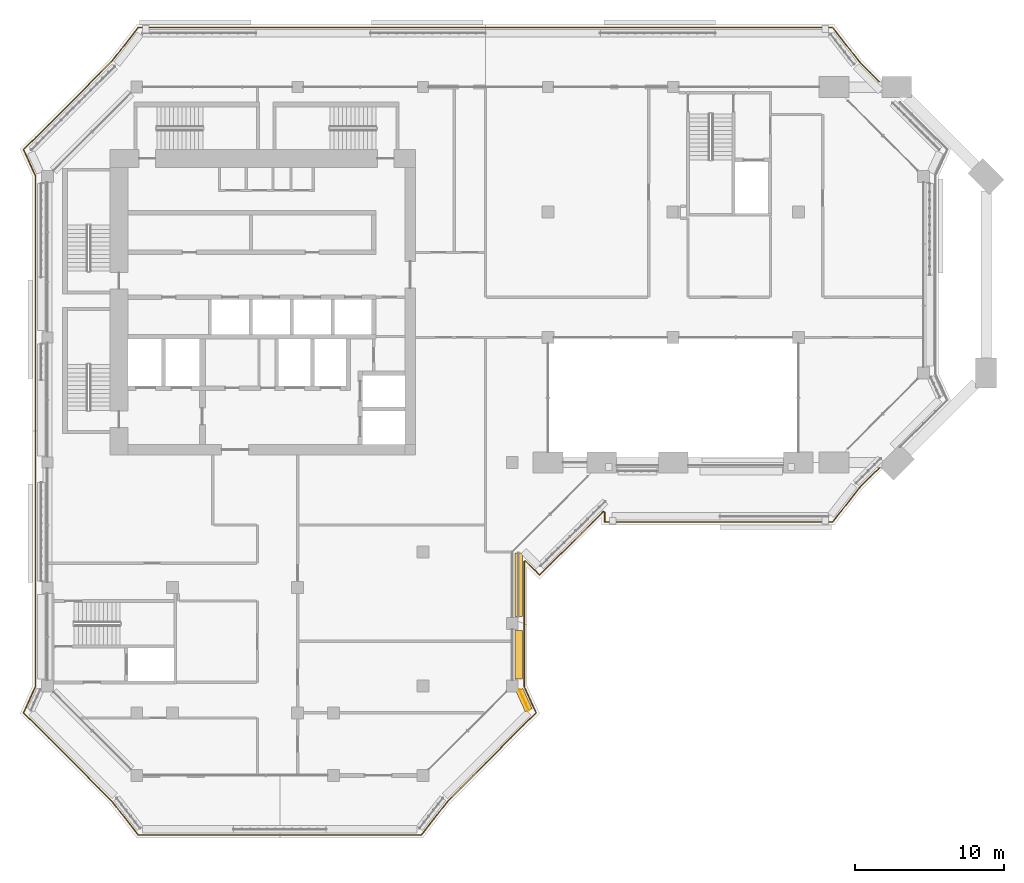
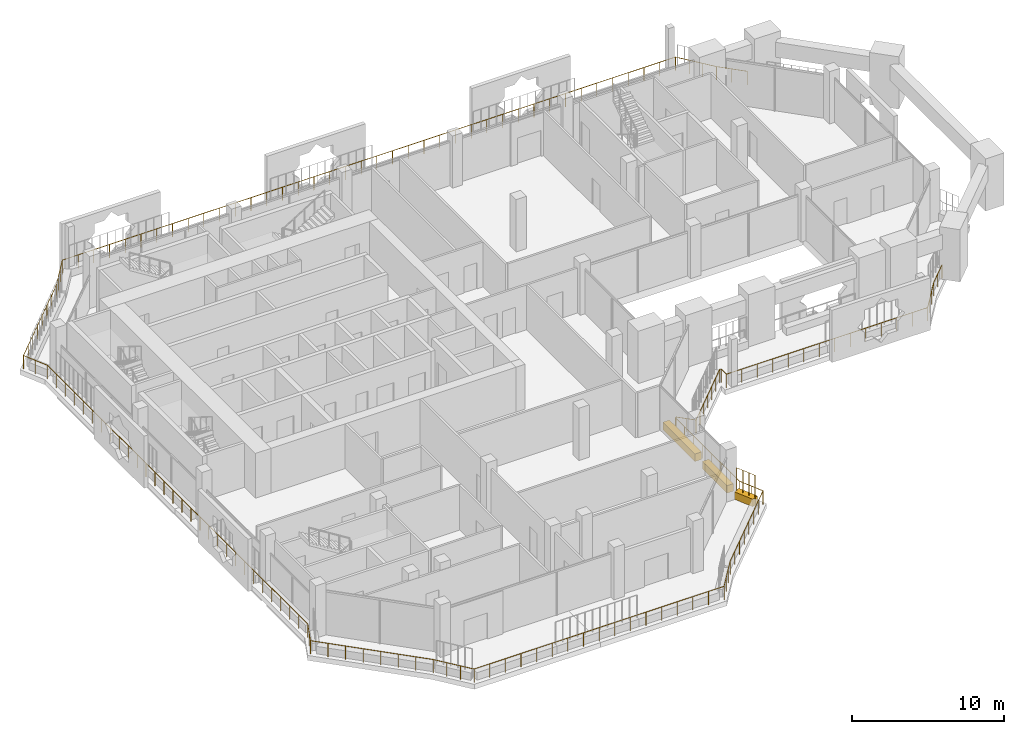
# One storey, part 17 of 22: 3 coverings, 3 railings.
"""IFC4 building model written with IfcOpenShell, lengths in metres."""

from ifc_helpers import new_model, si_unit, direction, frame, origin, origin_2d, place, context, subcontext, project, spatial, rectangle, circle, extrude, material, material_profile, profile_set, type_object, element, save


model = new_model("IFC4")

# Units and contexts
model_context = context("Model", 3, precision=1e-05, world=origin(), true_north=direction((0.0, 1.0)))
body_context = subcontext(model_context, "Body", "Model", "MODEL_VIEW")
ifc_project = project(units=[si_unit("LENGTHUNIT", "METRE"), si_unit("AREAUNIT", "SQUARE_METRE"), si_unit("VOLUMEUNIT", "CUBIC_METRE"), si_unit("PLANEANGLEUNIT", "RADIAN"), si_unit("MASSUNIT", "GRAM", prefix="KILO")], contexts=[model_context])

# Site, building, storey
site_placement = place(None, origin())
site = spatial("IfcSite", under=ifc_project, at=site_placement, CompositionType="ELEMENT")
building_placement = place(site_placement, origin())
building = spatial("IfcBuilding", under=site, at=building_placement, Name="Kawkab Arch Medical Tower", CompositionType="ELEMENT")
storey_placement = place(building_placement, frame((0.0, 0.0, 286.0)))
storey = spatial("IfcBuildingStorey", under=building, at=storey_placement, Name="L66", CompositionType="ELEMENT", Elevation=286.0)

# Railings
ifc_material_1 = material(Name="Bronze anodised aluminium guard", Category="aluminium")
railing_type_1 = type_object("IfcRailingType", Name="Loggia and terrace guard 1100", PredefinedType="GUARDRAIL", material=ifc_material_1)
railing_1_placement = place(storey_placement, frame((6.097900390625, -50.199951171875, 0.0)))
element("IfcRailing", 1, at=railing_1_placement, inside=storey, type_object=railing_type_1, Name="Guard L66.LOG-01.2.1", PredefinedType="GUARDRAIL", context=body_context, shape_type="SweptSolid", body=[
    extrude(circle(Radius=0.02392578125, at=origin_2d()), frame((0.0, 0.0, 1.076171875), z_axis=(-0.614144026922, 0.789193964876, 0.0), x_axis=(-0.789193964876, -0.614144026922, 0.0)), (0.0, 0.0, 1.0), 2.907958984375),
    extrude(circle(Radius=0.02392578125, at=origin_2d()), frame((-1.785888671875, 2.294921875, 1.076171875), z_axis=(-0.707106781187, 0.707106781187, 0.0), x_axis=(-0.707106781187, -0.707106781187, 0.0)), (0.0, 0.0, 1.0), 8.35791015625),
    extrude(circle(Radius=0.02392578125, at=origin_2d()), frame((-7.69580078125, 8.204833984375, 1.076171875), z_axis=(0.414404752076, 0.910092688388, 0.0), x_axis=(-0.910092688388, 0.414404752076, 0.0)), (0.0, 0.0, 1.0), 1.92529296875),
    extrude(circle(Radius=0.02392578125, at=origin_2d()), frame((-6.89794921875, 9.95703125, 1.076171875), z_axis=(0.0, 1.0, 0.0), x_axis=(-1.0, 0.0, 0.0)), (0.0, 0.0, 1.0), 34.285888671875),
    extrude(circle(Radius=0.02392578125, at=origin_2d()), frame((-6.89794921875, 44.242919921875, 1.076171875), z_axis=(-0.414452581809, 0.910070907914, 0.0), x_axis=(-0.910070907914, -0.414452581809, 0.0)), (0.0, 0.0, 1.0), 1.925048828125),
    extrude(circle(Radius=0.02392578125, at=origin_2d()), frame((-7.69580078125, 45.994873046875, 1.076171875), z_axis=(0.707092175918, 0.707121386154, 0.0), x_axis=(-0.707121386154, 0.707092175918, 0.0)), (0.0, 0.0, 1.0), 8.358154296875),
    extrude(circle(Radius=0.02392578125, at=origin_2d()), frame((-1.785888671875, 51.905029296875, 1.076171875), z_axis=(0.614144026922, 0.789193964876, 0.0), x_axis=(-0.789193964876, 0.614144026922, 0.0)), (0.0, 0.0, 1.0), 2.907958984375),
    extrude(circle(Radius=0.02392578125, at=origin_2d()), frame((0.0, 54.199951171875, 1.076171875), z_axis=(1.0, 0.0, 0.0), x_axis=(0.0, 1.0, 0.0)), (0.0, 0.0, 1.0), 46.60400390625),
    extrude(circle(Radius=0.02392578125, at=origin_2d()), frame((46.60400390625, 54.199951171875, 1.076171875), z_axis=(0.614196313452, -0.789153273162, 0.0), x_axis=(0.789153273162, 0.614196313452, 0.0)), (0.0, 0.0, 1.0), 2.908203125),
    extrude(circle(Radius=0.02392578125, at=origin_2d()), frame((48.39013671875, 51.905029296875, 1.076171875), z_axis=(0.707048537558, -0.707165020018, 0.0), x_axis=(0.707165020018, 0.707048537558, 0.0)), (0.0, 0.0, 1.0), 2.095947265625),
    extrude(circle(Radius=0.02099609375, at=origin_2d()), origin(), (0.0, 0.0, 1.0), 1.052001953125),
    extrude(circle(Radius=0.02099609375, at=origin_2d()), frame((-0.59521484375, 0.764892578125, 0.0)), (0.0, 0.0, 1.0), 1.052001953125),
    extrude(circle(Radius=0.02099609375, at=origin_2d()), frame((-1.190673828125, 1.530029296875, 0.0)), (0.0, 0.0, 1.0), 1.052001953125),
    extrude(circle(Radius=0.02099609375, at=origin_2d()), frame((-1.785888671875, 2.294921875, 0.0)), (0.0, 0.0, 1.0), 1.052001953125),
    extrude(circle(Radius=0.02099609375, at=origin_2d()), frame((-2.630126953125, 3.13916015625, 0.0)), (0.0, 0.0, 1.0), 1.052001953125),
    extrude(circle(Radius=0.02099609375, at=origin_2d()), frame((-3.474365234375, 3.9833984375, 0.0)), (0.0, 0.0, 1.0), 1.052001953125),
    extrude(circle(Radius=0.02099609375, at=origin_2d()), frame((-4.318603515625, 4.82763671875, 0.0)), (0.0, 0.0, 1.0), 1.052001953125),
    extrude(circle(Radius=0.02099609375, at=origin_2d()), frame((-5.1630859375, 5.672119140625, 0.0)), (0.0, 0.0, 1.0), 1.052001953125),
    extrude(circle(Radius=0.02099609375, at=origin_2d()), frame((-6.00732421875, 6.516357421875, 0.0)), (0.0, 0.0, 1.0), 1.052001953125),
    extrude(circle(Radius=0.02099609375, at=origin_2d()), frame((-6.8515625, 7.360595703125, 0.0)), (0.0, 0.0, 1.0), 1.052001953125),
    extrude(circle(Radius=0.02099609375, at=origin_2d()), frame((-7.69580078125, 8.204833984375, 0.0)), (0.0, 0.0, 1.0), 1.052001953125),
    extrude(circle(Radius=0.02099609375, at=origin_2d()), frame((-7.296875, 9.0810546875, 0.0)), (0.0, 0.0, 1.0), 1.052001953125),
    extrude(circle(Radius=0.02099609375, at=origin_2d()), frame((-6.89794921875, 9.95703125, 0.0)), (0.0, 0.0, 1.0), 1.052001953125),
    extrude(circle(Radius=0.02099609375, at=origin_2d()), frame((-6.89794921875, 11.139404296875, 0.0)), (0.0, 0.0, 1.0), 1.052001953125),
    extrude(circle(Radius=0.02099609375, at=origin_2d()), frame((-6.89794921875, 12.321533203125, 0.0)), (0.0, 0.0, 1.0), 1.052001953125),
    extrude(circle(Radius=0.02099609375, at=origin_2d()), frame((-6.89794921875, 13.50390625, 0.0)), (0.0, 0.0, 1.0), 1.052001953125),
    extrude(circle(Radius=0.02099609375, at=origin_2d()), frame((-6.89794921875, 14.68603515625, 0.0)), (0.0, 0.0, 1.0), 1.052001953125),
    extrude(circle(Radius=0.02099609375, at=origin_2d()), frame((-6.89794921875, 15.868408203125, 0.0)), (0.0, 0.0, 1.0), 1.052001953125),
    extrude(circle(Radius=0.02099609375, at=origin_2d()), frame((-6.89794921875, 17.05078125, 0.0)), (0.0, 0.0, 1.0), 1.052001953125),
    extrude(circle(Radius=0.02099609375, at=origin_2d()), frame((-6.89794921875, 18.23291015625, 0.0)), (0.0, 0.0, 1.0), 1.052001953125),
    extrude(circle(Radius=0.02099609375, at=origin_2d()), frame((-6.89794921875, 19.415283203125, 0.0)), (0.0, 0.0, 1.0), 1.052001953125),
    extrude(circle(Radius=0.02099609375, at=origin_2d()), frame((-6.89794921875, 20.597412109375, 0.0)), (0.0, 0.0, 1.0), 1.052001953125),
    extrude(circle(Radius=0.02099609375, at=origin_2d()), frame((-6.89794921875, 21.77978515625, 0.0)), (0.0, 0.0, 1.0), 1.052001953125),
    extrude(circle(Radius=0.02099609375, at=origin_2d()), frame((-6.89794921875, 22.9619140625, 0.0)), (0.0, 0.0, 1.0), 1.052001953125),
    extrude(circle(Radius=0.02099609375, at=origin_2d()), frame((-6.89794921875, 24.144287109375, 0.0)), (0.0, 0.0, 1.0), 1.052001953125),
    extrude(circle(Radius=0.02099609375, at=origin_2d()), frame((-6.89794921875, 25.32666015625, 0.0)), (0.0, 0.0, 1.0), 1.052001953125),
    extrude(circle(Radius=0.02099609375, at=origin_2d()), frame((-6.89794921875, 26.5087890625, 0.0)), (0.0, 0.0, 1.0), 1.052001953125),
    extrude(circle(Radius=0.02099609375, at=origin_2d()), frame((-6.89794921875, 27.691162109375, 0.0)), (0.0, 0.0, 1.0), 1.052001953125),
    extrude(circle(Radius=0.02099609375, at=origin_2d()), frame((-6.89794921875, 28.873291015625, 0.0)), (0.0, 0.0, 1.0), 1.052001953125),
    extrude(circle(Radius=0.02099609375, at=origin_2d()), frame((-6.89794921875, 30.0556640625, 0.0)), (0.0, 0.0, 1.0), 1.052001953125),
    extrude(circle(Radius=0.02099609375, at=origin_2d()), frame((-6.89794921875, 31.238037109375, 0.0)), (0.0, 0.0, 1.0), 1.052001953125),
    extrude(circle(Radius=0.02099609375, at=origin_2d()), frame((-6.89794921875, 32.420166015625, 0.0)), (0.0, 0.0, 1.0), 1.052001953125),
    extrude(circle(Radius=0.02099609375, at=origin_2d()), frame((-6.89794921875, 33.6025390625, 0.0)), (0.0, 0.0, 1.0), 1.052001953125),
    extrude(circle(Radius=0.02099609375, at=origin_2d()), frame((-6.89794921875, 34.78466796875, 0.0)), (0.0, 0.0, 1.0), 1.052001953125),
    extrude(circle(Radius=0.02099609375, at=origin_2d()), frame((-6.89794921875, 35.967041015625, 0.0)), (0.0, 0.0, 1.0), 1.052001953125),
    extrude(circle(Radius=0.02099609375, at=origin_2d()), frame((-6.89794921875, 37.149169921875, 0.0)), (0.0, 0.0, 1.0), 1.052001953125),
    extrude(circle(Radius=0.02099609375, at=origin_2d()), frame((-6.89794921875, 38.33154296875, 0.0)), (0.0, 0.0, 1.0), 1.052001953125),
    extrude(circle(Radius=0.02099609375, at=origin_2d()), frame((-6.89794921875, 39.513916015625, 0.0)), (0.0, 0.0, 1.0), 1.052001953125),
    extrude(circle(Radius=0.02099609375, at=origin_2d()), frame((-6.89794921875, 40.696044921875, 0.0)), (0.0, 0.0, 1.0), 1.052001953125),
    extrude(circle(Radius=0.02099609375, at=origin_2d()), frame((-6.89794921875, 41.87841796875, 0.0)), (0.0, 0.0, 1.0), 1.052001953125),
    extrude(circle(Radius=0.02099609375, at=origin_2d()), frame((-6.89794921875, 43.060546875, 0.0)), (0.0, 0.0, 1.0), 1.052001953125),
    extrude(circle(Radius=0.02099609375, at=origin_2d()), frame((-6.89794921875, 44.242919921875, 0.0)), (0.0, 0.0, 1.0), 1.052001953125),
    extrude(circle(Radius=0.02099609375, at=origin_2d()), frame((-7.296875, 45.118896484375, 0.0)), (0.0, 0.0, 1.0), 1.052001953125),
    extrude(circle(Radius=0.02099609375, at=origin_2d()), frame((-7.69580078125, 45.994873046875, 0.0)), (0.0, 0.0, 1.0), 1.052001953125),
    extrude(circle(Radius=0.02099609375, at=origin_2d()), frame((-6.8515625, 46.839111328125, 0.0)), (0.0, 0.0, 1.0), 1.052001953125),
    extrude(circle(Radius=0.02099609375, at=origin_2d()), frame((-6.00732421875, 47.68359375, 0.0)), (0.0, 0.0, 1.0), 1.052001953125),
    extrude(circle(Radius=0.02099609375, at=origin_2d()), frame((-5.1630859375, 48.52783203125, 0.0)), (0.0, 0.0, 1.0), 1.052001953125),
    extrude(circle(Radius=0.02099609375, at=origin_2d()), frame((-4.318603515625, 49.3720703125, 0.0)), (0.0, 0.0, 1.0), 1.052001953125),
    extrude(circle(Radius=0.02099609375, at=origin_2d()), frame((-3.474365234375, 50.21630859375, 0.0)), (0.0, 0.0, 1.0), 1.052001953125),
    extrude(circle(Radius=0.02099609375, at=origin_2d()), frame((-2.630126953125, 51.060791015625, 0.0)), (0.0, 0.0, 1.0), 1.052001953125),
    extrude(circle(Radius=0.02099609375, at=origin_2d()), frame((-1.785888671875, 51.905029296875, 0.0)), (0.0, 0.0, 1.0), 1.052001953125),
    extrude(circle(Radius=0.02099609375, at=origin_2d()), frame((-1.190673828125, 52.669921875, 0.0)), (0.0, 0.0, 1.0), 1.052001953125),
    extrude(circle(Radius=0.02099609375, at=origin_2d()), frame((-0.59521484375, 53.43505859375, 0.0)), (0.0, 0.0, 1.0), 1.052001953125),
    extrude(circle(Radius=0.02099609375, at=origin_2d()), frame((0.0, 54.199951171875, 0.0)), (0.0, 0.0, 1.0), 1.052001953125),
    extrude(circle(Radius=0.02099609375, at=origin_2d()), frame((1.195068359375, 54.199951171875, 0.0)), (0.0, 0.0, 1.0), 1.052001953125),
    extrude(circle(Radius=0.02099609375, at=origin_2d()), frame((2.389892578125, 54.199951171875, 0.0)), (0.0, 0.0, 1.0), 1.052001953125),
    extrude(circle(Radius=0.02099609375, at=origin_2d()), frame((3.5849609375, 54.199951171875, 0.0)), (0.0, 0.0, 1.0), 1.052001953125),
    extrude(circle(Radius=0.02099609375, at=origin_2d()), frame((4.77978515625, 54.199951171875, 0.0)), (0.0, 0.0, 1.0), 1.052001953125),
    extrude(circle(Radius=0.02099609375, at=origin_2d()), frame((5.974853515625, 54.199951171875, 0.0)), (0.0, 0.0, 1.0), 1.052001953125),
    extrude(circle(Radius=0.02099609375, at=origin_2d()), frame((7.169921875, 54.199951171875, 0.0)), (0.0, 0.0, 1.0), 1.052001953125),
    extrude(circle(Radius=0.02099609375, at=origin_2d()), frame((8.36474609375, 54.199951171875, 0.0)), (0.0, 0.0, 1.0), 1.052001953125),
    extrude(circle(Radius=0.02099609375, at=origin_2d()), frame((9.559814453125, 54.199951171875, 0.0)), (0.0, 0.0, 1.0), 1.052001953125),
    extrude(circle(Radius=0.02099609375, at=origin_2d()), frame((10.7548828125, 54.199951171875, 0.0)), (0.0, 0.0, 1.0), 1.052001953125),
    extrude(circle(Radius=0.02099609375, at=origin_2d()), frame((11.94970703125, 54.199951171875, 0.0)), (0.0, 0.0, 1.0), 1.052001953125),
    extrude(circle(Radius=0.02099609375, at=origin_2d()), frame((13.144775390625, 54.199951171875, 0.0)), (0.0, 0.0, 1.0), 1.052001953125),
    extrude(circle(Radius=0.02099609375, at=origin_2d()), frame((14.339599609375, 54.199951171875, 0.0)), (0.0, 0.0, 1.0), 1.052001953125),
    extrude(circle(Radius=0.02099609375, at=origin_2d()), frame((15.53466796875, 54.199951171875, 0.0)), (0.0, 0.0, 1.0), 1.052001953125),
    extrude(circle(Radius=0.02099609375, at=origin_2d()), frame((16.729736328125, 54.199951171875, 0.0)), (0.0, 0.0, 1.0), 1.052001953125),
    extrude(circle(Radius=0.02099609375, at=origin_2d()), frame((17.924560546875, 54.199951171875, 0.0)), (0.0, 0.0, 1.0), 1.052001953125),
    extrude(circle(Radius=0.02099609375, at=origin_2d()), frame((19.11962890625, 54.199951171875, 0.0)), (0.0, 0.0, 1.0), 1.052001953125),
    extrude(circle(Radius=0.02099609375, at=origin_2d()), frame((20.314453125, 54.199951171875, 0.0)), (0.0, 0.0, 1.0), 1.052001953125),
    extrude(circle(Radius=0.02099609375, at=origin_2d()), frame((21.509521484375, 54.199951171875, 0.0)), (0.0, 0.0, 1.0), 1.052001953125),
    extrude(circle(Radius=0.02099609375, at=origin_2d()), frame((22.70458984375, 54.199951171875, 0.0)), (0.0, 0.0, 1.0), 1.052001953125),
    extrude(circle(Radius=0.02099609375, at=origin_2d()), frame((23.8994140625, 54.199951171875, 0.0)), (0.0, 0.0, 1.0), 1.052001953125),
    extrude(circle(Radius=0.02099609375, at=origin_2d()), frame((25.094482421875, 54.199951171875, 0.0)), (0.0, 0.0, 1.0), 1.052001953125),
    extrude(circle(Radius=0.02099609375, at=origin_2d()), frame((26.28955078125, 54.199951171875, 0.0)), (0.0, 0.0, 1.0), 1.052001953125),
    extrude(circle(Radius=0.02099609375, at=origin_2d()), frame((27.484375, 54.199951171875, 0.0)), (0.0, 0.0, 1.0), 1.052001953125),
    extrude(circle(Radius=0.02099609375, at=origin_2d()), frame((28.679443359375, 54.199951171875, 0.0)), (0.0, 0.0, 1.0), 1.052001953125),
    extrude(circle(Radius=0.02099609375, at=origin_2d()), frame((29.874267578125, 54.199951171875, 0.0)), (0.0, 0.0, 1.0), 1.052001953125),
    extrude(circle(Radius=0.02099609375, at=origin_2d()), frame((31.0693359375, 54.199951171875, 0.0)), (0.0, 0.0, 1.0), 1.052001953125),
    extrude(circle(Radius=0.02099609375, at=origin_2d()), frame((32.264404296875, 54.199951171875, 0.0)), (0.0, 0.0, 1.0), 1.052001953125),
    extrude(circle(Radius=0.02099609375, at=origin_2d()), frame((33.459228515625, 54.199951171875, 0.0)), (0.0, 0.0, 1.0), 1.052001953125),
    extrude(circle(Radius=0.02099609375, at=origin_2d()), frame((34.654296875, 54.199951171875, 0.0)), (0.0, 0.0, 1.0), 1.052001953125),
    extrude(circle(Radius=0.02099609375, at=origin_2d()), frame((35.84912109375, 54.199951171875, 0.0)), (0.0, 0.0, 1.0), 1.052001953125),
    extrude(circle(Radius=0.02099609375, at=origin_2d()), frame((37.044189453125, 54.199951171875, 0.0)), (0.0, 0.0, 1.0), 1.052001953125),
    extrude(circle(Radius=0.02099609375, at=origin_2d()), frame((38.2392578125, 54.199951171875, 0.0)), (0.0, 0.0, 1.0), 1.052001953125),
    extrude(circle(Radius=0.02099609375, at=origin_2d()), frame((39.43408203125, 54.199951171875, 0.0)), (0.0, 0.0, 1.0), 1.052001953125),
    extrude(circle(Radius=0.02099609375, at=origin_2d()), frame((40.629150390625, 54.199951171875, 0.0)), (0.0, 0.0, 1.0), 1.052001953125),
    extrude(circle(Radius=0.02099609375, at=origin_2d()), frame((41.82421875, 54.199951171875, 0.0)), (0.0, 0.0, 1.0), 1.052001953125),
    extrude(circle(Radius=0.02099609375, at=origin_2d()), frame((43.01904296875, 54.199951171875, 0.0)), (0.0, 0.0, 1.0), 1.052001953125),
    extrude(circle(Radius=0.02099609375, at=origin_2d()), frame((44.214111328125, 54.199951171875, 0.0)), (0.0, 0.0, 1.0), 1.052001953125),
    extrude(circle(Radius=0.02099609375, at=origin_2d()), frame((45.408935546875, 54.199951171875, 0.0)), (0.0, 0.0, 1.0), 1.052001953125),
    extrude(circle(Radius=0.02099609375, at=origin_2d()), frame((46.60400390625, 54.199951171875, 0.0)), (0.0, 0.0, 1.0), 1.052001953125),
    extrude(circle(Radius=0.02099609375, at=origin_2d()), frame((47.199462890625, 53.43505859375, 0.0)), (0.0, 0.0, 1.0), 1.052001953125),
    extrude(circle(Radius=0.02099609375, at=origin_2d()), frame((47.794677734375, 52.669921875, 0.0)), (0.0, 0.0, 1.0), 1.052001953125),
    extrude(circle(Radius=0.02099609375, at=origin_2d()), frame((48.39013671875, 51.905029296875, 0.0)), (0.0, 0.0, 1.0), 1.052001953125),
    extrude(circle(Radius=0.02099609375, at=origin_2d()), frame((49.131103515625, 51.1640625, 0.0)), (0.0, 0.0, 1.0), 1.052001953125),
    extrude(circle(Radius=0.02099609375, at=origin_2d()), frame((49.8720703125, 50.4228515625, 0.0)), (0.0, 0.0, 1.0), 1.052001953125),
])
railing_2_placement = place(storey_placement, frame((55.969970703125, -25.423095703125, 0.0)))
element("IfcRailing", 2, at=railing_2_placement, inside=storey, type_object=railing_type_1, Name="Guard L66.LOG-01.2.3", PredefinedType="GUARDRAIL", context=body_context, shape_type="SweptSolid", body=[
    extrude(circle(Radius=0.02392578125, at=origin_2d()), frame((0.0, 0.0, 1.076171875), z_axis=(-0.707106781187, -0.707106781187, 0.0), x_axis=(0.707106781187, -0.707106781187, 0.0)), (0.0, 0.0, 1.0), 2.095703125),
    extrude(circle(Radius=0.02392578125, at=origin_2d()), frame((-1.48193359375, -1.48193359375, 1.076171875), z_axis=(-0.614196313452, -0.789153273162, 0.0), x_axis=(0.789153273162, -0.614196313452, 0.0)), (0.0, 0.0, 1.0), 2.908203125),
    extrude(circle(Radius=0.02392578125, at=origin_2d()), frame((-3.26806640625, -3.77685546875, 1.076171875), z_axis=(-1.0, 0.0, 0.0), x_axis=(0.0, -1.0, 0.0)), (0.0, 0.0, 1.0), 15.302001953125),
    extrude(circle(Radius=0.02392578125, at=origin_2d()), frame((-18.570068359375, -3.77685546875, 1.076171875), z_axis=(0.0, 1.0, 0.0), x_axis=(-1.0, 0.0, 0.0)), (0.0, 0.0, 1.0), 0.6728515625),
    extrude(circle(Radius=0.02392578125, at=origin_2d()), frame((-18.570068359375, -3.10400390625, 1.076171875), z_axis=(-0.923431341387, 0.383763674343, 0.0), x_axis=(-0.383763674343, -0.923431341387, 0.0)), (0.0, 0.0, 1.0), 0.101806640625),
    extrude(circle(Radius=0.02392578125, at=origin_2d()), frame((-18.6640625, -3.06494140625, 1.076171875), z_axis=(-0.707187685852, -0.707025867263, 0.0), x_axis=(0.707025867263, -0.707187685852, 0.0)), (0.0, 0.0, 1.0), 6.034912109375),
    extrude(circle(Radius=0.02392578125, at=origin_2d()), frame((-22.931884765625, -7.331787109375, 1.076171875), z_axis=(-0.707198215437, 0.707015335112, 0.0), x_axis=(-0.707015335112, -0.707198215437, 0.0)), (0.0, 0.0, 1.0), 1.3349609375),
    extrude(circle(Radius=0.02392578125, at=origin_2d()), frame((-23.8759765625, -6.387939453125, 1.076171875), z_axis=(-0.923431341387, -0.383763674343, 0.0), x_axis=(0.383763674343, -0.923431341387, 0.0)), (0.0, 0.0, 1.0), 0.101806640625),
    extrude(circle(Radius=0.02392578125, at=origin_2d()), frame((-23.969970703125, -6.427001953125, 1.076171875), z_axis=(0.0, -1.0, 0.0), x_axis=(1.0, 0.0, 0.0)), (0.0, 0.0, 1.0), 8.392822265625),
    extrude(circle(Radius=0.02392578125, at=origin_2d()), frame((-23.969970703125, -14.81982421875, 1.076171875), z_axis=(0.414509773934, -0.910044860056, 0.0), x_axis=(0.910044860056, 0.414509773934, 0.0)), (0.0, 0.0, 1.0), 1.92529296875),
    extrude(circle(Radius=0.02392578125, at=origin_2d()), frame((-23.171875, -16.572021484375, 1.076171875), z_axis=(-0.707121386154, -0.707092175918, 0.0), x_axis=(0.707092175918, -0.707121386154, 0.0)), (0.0, 0.0, 1.0), 8.358154296875),
    extrude(circle(Radius=0.02392578125, at=origin_2d()), frame((-29.08203125, -22.48193359375, 1.076171875), z_axis=(-0.614144026922, -0.789193964876, 0.0), x_axis=(0.789193964876, -0.614144026922, 0.0)), (0.0, 0.0, 1.0), 2.907958984375),
    extrude(circle(Radius=0.02392578125, at=origin_2d()), frame((-30.867919921875, -24.77685546875, 1.076171875), z_axis=(-1.0, 0.0, 0.0), x_axis=(0.0, -1.0, 0.0)), (0.0, 0.0, 1.0), 19.004150390625),
    extrude(circle(Radius=0.02099609375, at=origin_2d()), origin(), (0.0, 0.0, 1.0), 1.052001953125),
    extrude(circle(Radius=0.02099609375, at=origin_2d()), frame((-0.740966796875, -0.740966796875, 0.0)), (0.0, 0.0, 1.0), 1.052001953125),
    extrude(circle(Radius=0.02099609375, at=origin_2d()), frame((-1.48193359375, -1.48193359375, 0.0)), (0.0, 0.0, 1.0), 1.052001953125),
    extrude(circle(Radius=0.02099609375, at=origin_2d()), frame((-2.077392578125, -2.246826171875, 0.0)), (0.0, 0.0, 1.0), 1.052001953125),
    extrude(circle(Radius=0.02099609375, at=origin_2d()), frame((-2.672607421875, -3.011962890625, 0.0)), (0.0, 0.0, 1.0), 1.052001953125),
    extrude(circle(Radius=0.02099609375, at=origin_2d()), frame((-3.26806640625, -3.77685546875, 0.0)), (0.0, 0.0, 1.0), 1.052001953125),
    extrude(circle(Radius=0.02099609375, at=origin_2d()), frame((-4.445068359375, -3.77685546875, 0.0)), (0.0, 0.0, 1.0), 1.052001953125),
    extrude(circle(Radius=0.02099609375, at=origin_2d()), frame((-5.622314453125, -3.77685546875, 0.0)), (0.0, 0.0, 1.0), 1.052001953125),
    extrude(circle(Radius=0.02099609375, at=origin_2d()), frame((-6.79931640625, -3.77685546875, 0.0)), (0.0, 0.0, 1.0), 1.052001953125),
    extrude(circle(Radius=0.02099609375, at=origin_2d()), frame((-7.976318359375, -3.77685546875, 0.0)), (0.0, 0.0, 1.0), 1.052001953125),
    extrude(circle(Radius=0.02099609375, at=origin_2d()), frame((-9.153564453125, -3.77685546875, 0.0)), (0.0, 0.0, 1.0), 1.052001953125),
    extrude(circle(Radius=0.02099609375, at=origin_2d()), frame((-10.33056640625, -3.77685546875, 0.0)), (0.0, 0.0, 1.0), 1.052001953125),
    extrude(circle(Radius=0.02099609375, at=origin_2d()), frame((-11.507568359375, -3.77685546875, 0.0)), (0.0, 0.0, 1.0), 1.052001953125),
    extrude(circle(Radius=0.02099609375, at=origin_2d()), frame((-12.6845703125, -3.77685546875, 0.0)), (0.0, 0.0, 1.0), 1.052001953125),
    extrude(circle(Radius=0.02099609375, at=origin_2d()), frame((-13.86181640625, -3.77685546875, 0.0)), (0.0, 0.0, 1.0), 1.052001953125),
    extrude(circle(Radius=0.02099609375, at=origin_2d()), frame((-15.038818359375, -3.77685546875, 0.0)), (0.0, 0.0, 1.0), 1.052001953125),
    extrude(circle(Radius=0.02099609375, at=origin_2d()), frame((-16.2158203125, -3.77685546875, 0.0)), (0.0, 0.0, 1.0), 1.052001953125),
    extrude(circle(Radius=0.02099609375, at=origin_2d()), frame((-17.39306640625, -3.77685546875, 0.0)), (0.0, 0.0, 1.0), 1.052001953125),
    extrude(circle(Radius=0.02099609375, at=origin_2d()), frame((-18.570068359375, -3.77685546875, 0.0)), (0.0, 0.0, 1.0), 1.052001953125),
    extrude(circle(Radius=0.02099609375, at=origin_2d()), frame((-18.570068359375, -3.10400390625, 0.0)), (0.0, 0.0, 1.0), 1.052001953125),
    extrude(circle(Radius=0.02099609375, at=origin_2d()), frame((-18.6640625, -3.06494140625, 0.0)), (0.0, 0.0, 1.0), 1.052001953125),
    extrude(circle(Radius=0.02099609375, at=origin_2d()), frame((-19.37548828125, -3.776123046875, 0.0)), (0.0, 0.0, 1.0), 1.052001953125),
    extrude(circle(Radius=0.02099609375, at=origin_2d()), frame((-20.086669921875, -4.4873046875, 0.0)), (0.0, 0.0, 1.0), 1.052001953125),
    extrude(circle(Radius=0.02099609375, at=origin_2d()), frame((-20.7978515625, -5.1982421875, 0.0)), (0.0, 0.0, 1.0), 1.052001953125),
    extrude(circle(Radius=0.02099609375, at=origin_2d()), frame((-21.50927734375, -5.909423828125, 0.0)), (0.0, 0.0, 1.0), 1.052001953125),
    extrude(circle(Radius=0.02099609375, at=origin_2d()), frame((-22.220703125, -6.62060546875, 0.0)), (0.0, 0.0, 1.0), 1.052001953125),
    extrude(circle(Radius=0.02099609375, at=origin_2d()), frame((-22.931884765625, -7.331787109375, 0.0)), (0.0, 0.0, 1.0), 1.052001953125),
    extrude(circle(Radius=0.02099609375, at=origin_2d()), frame((-23.40380859375, -6.85986328125, 0.0)), (0.0, 0.0, 1.0), 1.052001953125),
    extrude(circle(Radius=0.02099609375, at=origin_2d()), frame((-23.8759765625, -6.387939453125, 0.0)), (0.0, 0.0, 1.0), 1.052001953125),
    extrude(circle(Radius=0.02099609375, at=origin_2d()), frame((-23.969970703125, -6.427001953125, 0.0)), (0.0, 0.0, 1.0), 1.052001953125),
    extrude(circle(Radius=0.02099609375, at=origin_2d()), frame((-23.969970703125, -7.6259765625, 0.0)), (0.0, 0.0, 1.0), 1.052001953125),
    extrude(circle(Radius=0.02099609375, at=origin_2d()), frame((-23.969970703125, -8.824951171875, 0.0)), (0.0, 0.0, 1.0), 1.052001953125),
    extrude(circle(Radius=0.02099609375, at=origin_2d()), frame((-23.969970703125, -10.02392578125, 0.0)), (0.0, 0.0, 1.0), 1.052001953125),
    extrude(circle(Radius=0.02099609375, at=origin_2d()), frame((-23.969970703125, -11.222900390625, 0.0)), (0.0, 0.0, 1.0), 1.052001953125),
    extrude(circle(Radius=0.02099609375, at=origin_2d()), frame((-23.969970703125, -12.421875, 0.0)), (0.0, 0.0, 1.0), 1.052001953125),
    extrude(circle(Radius=0.02099609375, at=origin_2d()), frame((-23.969970703125, -13.620849609375, 0.0)), (0.0, 0.0, 1.0), 1.052001953125),
    extrude(circle(Radius=0.02099609375, at=origin_2d()), frame((-23.969970703125, -14.81982421875, 0.0)), (0.0, 0.0, 1.0), 1.052001953125),
    extrude(circle(Radius=0.02099609375, at=origin_2d()), frame((-23.57080078125, -15.69580078125, 0.0)), (0.0, 0.0, 1.0), 1.052001953125),
    extrude(circle(Radius=0.02099609375, at=origin_2d()), frame((-23.171875, -16.572021484375, 0.0)), (0.0, 0.0, 1.0), 1.052001953125),
    extrude(circle(Radius=0.02099609375, at=origin_2d()), frame((-24.01611328125, -17.416259765625, 0.0)), (0.0, 0.0, 1.0), 1.052001953125),
    extrude(circle(Radius=0.02099609375, at=origin_2d()), frame((-24.860595703125, -18.260498046875, 0.0)), (0.0, 0.0, 1.0), 1.052001953125),
    extrude(circle(Radius=0.02099609375, at=origin_2d()), frame((-25.704833984375, -19.104736328125, 0.0)), (0.0, 0.0, 1.0), 1.052001953125),
    extrude(circle(Radius=0.02099609375, at=origin_2d()), frame((-26.549072265625, -19.94921875, 0.0)), (0.0, 0.0, 1.0), 1.052001953125),
    extrude(circle(Radius=0.02099609375, at=origin_2d()), frame((-27.393310546875, -20.79345703125, 0.0)), (0.0, 0.0, 1.0), 1.052001953125),
    extrude(circle(Radius=0.02099609375, at=origin_2d()), frame((-28.23779296875, -21.6376953125, 0.0)), (0.0, 0.0, 1.0), 1.052001953125),
    extrude(circle(Radius=0.02099609375, at=origin_2d()), frame((-29.08203125, -22.48193359375, 0.0)), (0.0, 0.0, 1.0), 1.052001953125),
    extrude(circle(Radius=0.02099609375, at=origin_2d()), frame((-29.67724609375, -23.246826171875, 0.0)), (0.0, 0.0, 1.0), 1.052001953125),
    extrude(circle(Radius=0.02099609375, at=origin_2d()), frame((-30.272705078125, -24.011962890625, 0.0)), (0.0, 0.0, 1.0), 1.052001953125),
    extrude(circle(Radius=0.02099609375, at=origin_2d()), frame((-30.867919921875, -24.77685546875, 0.0)), (0.0, 0.0, 1.0), 1.052001953125),
    extrude(circle(Radius=0.02099609375, at=origin_2d()), frame((-32.0556640625, -24.77685546875, 0.0)), (0.0, 0.0, 1.0), 1.052001953125),
    extrude(circle(Radius=0.02099609375, at=origin_2d()), frame((-33.243408203125, -24.77685546875, 0.0)), (0.0, 0.0, 1.0), 1.052001953125),
    extrude(circle(Radius=0.02099609375, at=origin_2d()), frame((-34.43115234375, -24.77685546875, 0.0)), (0.0, 0.0, 1.0), 1.052001953125),
    extrude(circle(Radius=0.02099609375, at=origin_2d()), frame((-35.618896484375, -24.77685546875, 0.0)), (0.0, 0.0, 1.0), 1.052001953125),
    extrude(circle(Radius=0.02099609375, at=origin_2d()), frame((-36.806640625, -24.77685546875, 0.0)), (0.0, 0.0, 1.0), 1.052001953125),
    extrude(circle(Radius=0.02099609375, at=origin_2d()), frame((-37.994384765625, -24.77685546875, 0.0)), (0.0, 0.0, 1.0), 1.052001953125),
    extrude(circle(Radius=0.02099609375, at=origin_2d()), frame((-39.18212890625, -24.77685546875, 0.0)), (0.0, 0.0, 1.0), 1.052001953125),
    extrude(circle(Radius=0.02099609375, at=origin_2d()), frame((-40.3701171875, -24.77685546875, 0.0)), (0.0, 0.0, 1.0), 1.052001953125),
    extrude(circle(Radius=0.02099609375, at=origin_2d()), frame((-41.557861328125, -24.77685546875, 0.0)), (0.0, 0.0, 1.0), 1.052001953125),
    extrude(circle(Radius=0.02099609375, at=origin_2d()), frame((-42.74560546875, -24.77685546875, 0.0)), (0.0, 0.0, 1.0), 1.052001953125),
    extrude(circle(Radius=0.02099609375, at=origin_2d()), frame((-43.933349609375, -24.77685546875, 0.0)), (0.0, 0.0, 1.0), 1.052001953125),
    extrude(circle(Radius=0.02099609375, at=origin_2d()), frame((-45.12109375, -24.77685546875, 0.0)), (0.0, 0.0, 1.0), 1.052001953125),
    extrude(circle(Radius=0.02099609375, at=origin_2d()), frame((-46.308837890625, -24.77685546875, 0.0)), (0.0, 0.0, 1.0), 1.052001953125),
    extrude(circle(Radius=0.02099609375, at=origin_2d()), frame((-47.49658203125, -24.77685546875, 0.0)), (0.0, 0.0, 1.0), 1.052001953125),
    extrude(circle(Radius=0.02099609375, at=origin_2d()), frame((-48.684326171875, -24.77685546875, 0.0)), (0.0, 0.0, 1.0), 1.052001953125),
    extrude(circle(Radius=0.02099609375, at=origin_2d()), frame((-49.8720703125, -24.77685546875, 0.0)), (0.0, 0.0, 1.0), 1.052001953125),
])

# Coverings
ifc_material_2 = material(Name="Planting soil in a precast trough", Category="concrete")
ifc_material_profile = material_profile(ifc_material_2, rectangle(XDim=0.5, YDim=0.60009765625, at=origin_2d()), Name="Trough 500x600")
ifc_profile_set = profile_set([ifc_material_profile], Name="Planting soil in a precast trough")
covering_type = type_object("IfcCoveringType", Name="Planter trough 500 x 600", PredefinedType="USERDEFINED", material=ifc_profile_set)
covering_1_placement = place(storey_placement, frame((31.6201171875, -31.284912109375, 0.300048828125), z_axis=(0.0, -1.0, 0.0), x_axis=(1.0, 0.0, 0.0)))
element("IfcCovering", 3, at=covering_1_placement, inside=storey, type_object=covering_type, Name="Planter L66.LOG-01-02.33", ObjectType="PLANTER", PredefinedType="USERDEFINED", context=body_context, shape_type="SweptSolid", body=[
    extrude(rectangle(XDim=0.5, YDim=0.60009765625, at=origin_2d()), origin(), (0.0, 0.0, 1.0), 4.235107421875),
])
covering_2_placement = place(storey_placement, frame((31.6201171875, -36.47998046875, 0.300048828125), z_axis=(0.0, -1.0, 0.0), x_axis=(1.0, 0.0, 0.0)))
element("IfcCovering", 4, at=covering_2_placement, inside=storey, type_object=covering_type, Name="Planter L66.LOG-01-02.34", ObjectType="PLANTER", PredefinedType="USERDEFINED", context=body_context, shape_type="SweptSolid", body=[
    extrude(rectangle(XDim=0.5, YDim=0.60009765625, at=origin_2d()), origin(), (0.0, 0.0, 1.0), 3.239990234375),
])
covering_3_placement = place(storey_placement, frame((31.679931640625, -40.4580078125, 0.300048828125), z_axis=(0.415189748133, -0.909734836667, 0.0), x_axis=(0.909734836667, 0.415189748133, 0.0)))
element("IfcCovering", 5, at=covering_3_placement, inside=storey, type_object=covering_type, Name="Planter L66.LOG-01-02.35", ObjectType="PLANTER", PredefinedType="USERDEFINED", context=body_context, shape_type="SweptSolid", body=[
    extrude(rectangle(XDim=0.5, YDim=0.60009765625, at=origin_2d()), origin(), (0.0, 0.0, 1.0), 1.498291015625),
])

# Railing
ifc_material_3 = material(Name="Bronze anodised aluminium trellis for climbing plants", Category="aluminium")
railing_type_2 = type_object("IfcRailingType", Name="Planting trellis 2400", PredefinedType="USERDEFINED", material=ifc_material_3)
railing_3_placement = place(storey_placement, frame((31.679931640625, -40.4580078125, 0.0)))
element("IfcRailing", 6, at=railing_3_placement, inside=storey, type_object=railing_type_2, Name="Planting trellis L66.LOG-01-02.35", ObjectType="TRELLIS", PredefinedType="USERDEFINED", context=body_context, shape_type="SweptSolid", body=[
    extrude(circle(Radius=0.01513671875, at=origin_2d()), frame((0.0, 0.0, 2.384765625), z_axis=(0.415189748133, -0.909734836667, 0.0), x_axis=(0.909734836667, 0.415189748133, 0.0)), (0.0, 0.0, 1.0), 1.498291015625),
    extrude(circle(Radius=0.030029296875, at=origin_2d()), origin(), (0.0, 0.0, 1.0), 2.369873046875),
    extrude(circle(Radius=0.030029296875, at=origin_2d()), frame((0.207275390625, -0.454345703125, 0.0)), (0.0, 0.0, 1.0), 2.369873046875),
    extrude(circle(Radius=0.030029296875, at=origin_2d()), frame((0.414794921875, -0.90869140625, 0.0)), (0.0, 0.0, 1.0), 2.369873046875),
    extrude(circle(Radius=0.030029296875, at=origin_2d()), frame((0.6220703125, -1.363037109375, 0.0)), (0.0, 0.0, 1.0), 2.369873046875),
])

save(model, "model.ifc")
